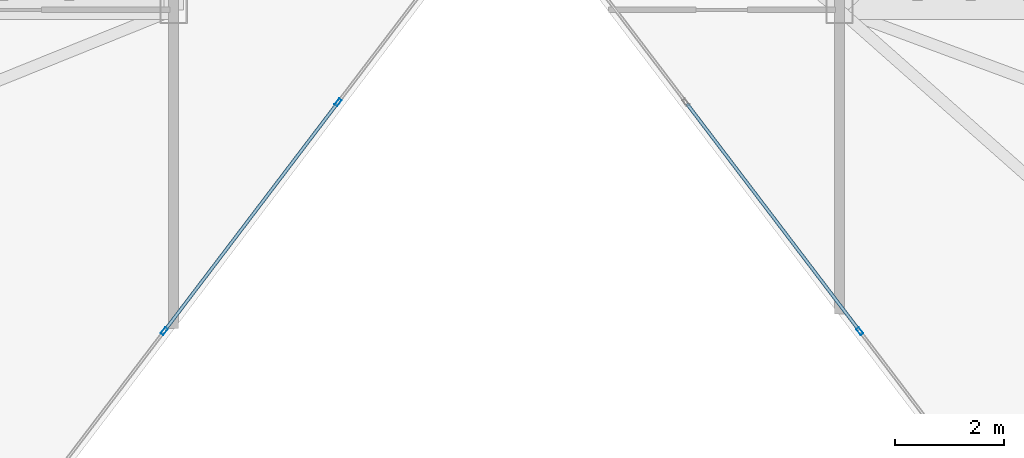
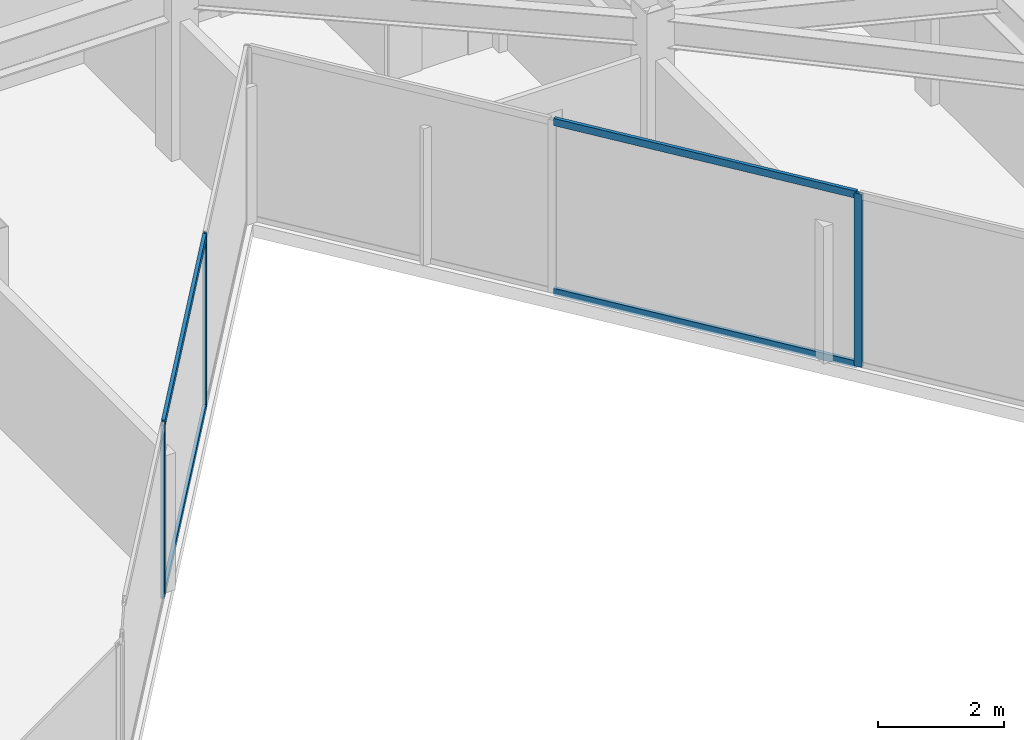
# One storey, part 7 of 20: 7 members, 2 elements without a shape of their own.
"""IFC4 building model written with IfcOpenShell, lengths in metres."""

from ifc_helpers import new_model, si_unit, direction, frame, origin, origin_2d, place, context, subcontext, project, spatial, hollow_rectangle, extrude, material, layer, layer_set, material_profile, profile_set, type_object, element, aggregate, save


model = new_model("IFC4")

# Units and contexts
model_context = context("Model", 3, precision=1e-05, world=origin(), true_north=direction((0.0, 1.0)))
body_context = subcontext(model_context, "Body", "Model", "MODEL_VIEW")
ifc_project = project(units=[si_unit("LENGTHUNIT", "METRE"), si_unit("AREAUNIT", "SQUARE_METRE"), si_unit("VOLUMEUNIT", "CUBIC_METRE"), si_unit("PLANEANGLEUNIT", "RADIAN"), si_unit("MASSUNIT", "GRAM", prefix="KILO")], contexts=[model_context])

# Site, building, storey
site_placement = place(None, origin())
site = spatial("IfcSite", under=ifc_project, at=site_placement, CompositionType="ELEMENT")
building_placement = place(site_placement, origin())
building = spatial("IfcBuilding", under=site, at=building_placement, Name="Kravanh Interchange Tower", CompositionType="ELEMENT")
storey_placement = place(building_placement, frame((0.0, 0.0, 241.800048828125)))
storey = spatial("IfcBuildingStorey", under=building, at=storey_placement, Name="L58", CompositionType="ELEMENT", Elevation=241.800048828125)

# Curtain wall, member
ifc_material_1 = material(Name="Anodised Bronze Aluminium", Category="aluminium")
ifc_layer = layer(ifc_material_1, 0.179931640625)
ifc_layer_set = layer_set([ifc_layer], Name="Unitised Curtain Wall System CW-HTL Luxury Hotel")
curtain_wall_type = type_object("IfcCurtainWallType", Name="Unitised Curtain Wall System CW-HTL Luxury Hotel", PredefinedType="NOTDEFINED", material=ifc_layer_set)
curtain_wall_1_placement = place(storey_placement, origin())
curtain_wall_1 = element("IfcCurtainWall", 1, at=curtain_wall_1_placement, inside=storey, type_object=curtain_wall_type, Name="L58 Unitised Curtain Wall CW-L58-04", PredefinedType="NOTDEFINED")
ifc_material_2 = material(Name="Anodised Bronze Aluminium", Category="aluminium")
ifc_material_profile_1 = material_profile(ifc_material_2, hollow_rectangle(XDim=0.06005859375, YDim=0.139892578125, WallThickness=0.00390625, at=origin_2d()), Name="ALU60X140X4")
ifc_profile_set_1 = profile_set([ifc_material_profile_1], Name="Anodised Bronze Aluminium")
member_type_1 = type_object("IfcMemberType", Name="Curtain Wall Mullion ALU60X140X4 Bronze", PredefinedType="MULLION", material=ifc_profile_set_1)
member_1_placement = place(storey_placement, frame((51.173095703125, 20.912841796875, 0.0), z_axis=(0.0, 0.0, 1.0), x_axis=(-0.79616243806, -0.605082946564, 0.0)))
member_1 = element("IfcMember", 2, at=member_1_placement, type_object=member_type_1, Name="CW-HTL mullion 2", PredefinedType="MULLION", context=body_context, shape_type="SweptSolid", body=[
    extrude(hollow_rectangle(XDim=0.06005859375, YDim=0.139892578125, WallThickness=0.00390625, at=origin_2d()), origin(), (0.0, 0.0, 1.0), 3.349853515625),
])

# Curtain wall, members
curtain_wall_2_placement = place(storey_placement, origin())
curtain_wall_2 = element("IfcCurtainWall", 3, at=curtain_wall_2_placement, inside=storey, type_object=curtain_wall_type, Name="L58 Unitised Curtain Wall CW-L58-05", PredefinedType="NOTDEFINED")
member_2_placement = place(storey_placement, frame((41.613525390625, 25.10546875, 0.0), z_axis=(0.0, 0.0, 1.0), x_axis=(0.79616243806, -0.605082946564, 0.0)))
member_2 = element("IfcMember", 4, at=member_2_placement, type_object=member_type_1, Name="CW-HTL mullion 2", PredefinedType="MULLION", context=body_context, shape_type="SweptSolid", body=[
    extrude(hollow_rectangle(XDim=0.06005859375, YDim=0.139892578125, WallThickness=0.00390625, at=origin_2d()), origin(), (0.0, 0.0, 1.0), 3.349853515625),
])
member_3_placement = place(storey_placement, frame((38.427001953125, 20.912841796875, 0.0), z_axis=(0.0, 0.0, 1.0), x_axis=(0.79616243806, -0.605082946564, 0.0)))
member_3 = element("IfcMember", 5, at=member_3_placement, type_object=member_type_1, Name="CW-HTL mullion 3", PredefinedType="MULLION", context=body_context, shape_type="SweptSolid", body=[
    extrude(hollow_rectangle(XDim=0.06005859375, YDim=0.139892578125, WallThickness=0.00390625, at=origin_2d()), origin(), (0.0, 0.0, 1.0), 3.349853515625),
])

# Member
ifc_material_3 = material(Name="Anodised Bronze Aluminium", Category="aluminium")
ifc_material_profile_2 = material_profile(ifc_material_3, hollow_rectangle(XDim=0.06005859375, YDim=0.139892578125, WallThickness=0.00390625, at=origin_2d()), Name="ALU60X140X4")
ifc_profile_set_2 = profile_set([ifc_material_profile_2], Name="Anodised Bronze Aluminium")
member_type_2 = type_object("IfcMemberType", Name="Curtain Wall Transom ALU60X140X4 Bronze", PredefinedType="USERDEFINED", material=ifc_profile_set_2)
member_4_placement = place(storey_placement, frame((51.15478515625, 20.936767578125, 0.030029296875), z_axis=(-0.60509753596, 0.796151349918, 0.0), x_axis=(-0.796151349918, -0.60509753596, 0.0)))
member_4 = element("IfcMember", 6, at=member_4_placement, type_object=member_type_2, Name="CW-HTL transom 2.1", ObjectType="TRANSOM", PredefinedType="USERDEFINED", context=body_context, shape_type="SweptSolid", body=[
    extrude(hollow_rectangle(XDim=0.06005859375, YDim=0.139892578125, WallThickness=0.00390625, at=origin_2d()), origin(), (0.0, 0.0, 1.0), 5.2060546875),
])

member_5_placement = place(storey_placement, frame((51.15478515625, 20.936767578125, 3.320068359375), z_axis=(-0.60509753596, 0.796151349918, 0.0), x_axis=(-0.796151349918, -0.60509753596, 0.0)))
member_5 = element("IfcMember", 7, at=member_5_placement, type_object=member_type_2, Name="CW-HTL transom 2.2", ObjectType="TRANSOM", PredefinedType="USERDEFINED", context=body_context, shape_type="SweptSolid", body=[
    extrude(hollow_rectangle(XDim=0.06005859375, YDim=0.139892578125, WallThickness=0.00390625, at=origin_2d()), origin(), (0.0, 0.0, 1.0), 5.2060546875),
])

aggregate(curtain_wall_1, [member_1, member_4, member_5])

member_6_placement = place(storey_placement, frame((41.595458984375, 25.08154296875, 0.030029296875), z_axis=(-0.605127259975, -0.79612875795, 0.0), x_axis=(0.79612875795, -0.605127259975, 0.0)))
member_6 = element("IfcMember", 8, at=member_6_placement, type_object=member_type_2, Name="CW-HTL transom 2.1", ObjectType="TRANSOM", PredefinedType="USERDEFINED", context=body_context, shape_type="SweptSolid", body=[
    extrude(hollow_rectangle(XDim=0.06005859375, YDim=0.139892578125, WallThickness=0.00390625, at=origin_2d()), origin(), (0.0, 0.0, 1.0), 5.2060546875),
])

member_7_placement = place(storey_placement, frame((41.595458984375, 25.08154296875, 3.320068359375), z_axis=(-0.605127259975, -0.79612875795, 0.0), x_axis=(0.79612875795, -0.605127259975, 0.0)))
member_7 = element("IfcMember", 9, at=member_7_placement, type_object=member_type_2, Name="CW-HTL transom 2.2", ObjectType="TRANSOM", PredefinedType="USERDEFINED", context=body_context, shape_type="SweptSolid", body=[
    extrude(hollow_rectangle(XDim=0.06005859375, YDim=0.139892578125, WallThickness=0.00390625, at=origin_2d()), origin(), (0.0, 0.0, 1.0), 5.2060546875),
])

aggregate(curtain_wall_2, [member_2, member_3, member_6, member_7])

save(model, "model.ifc")
